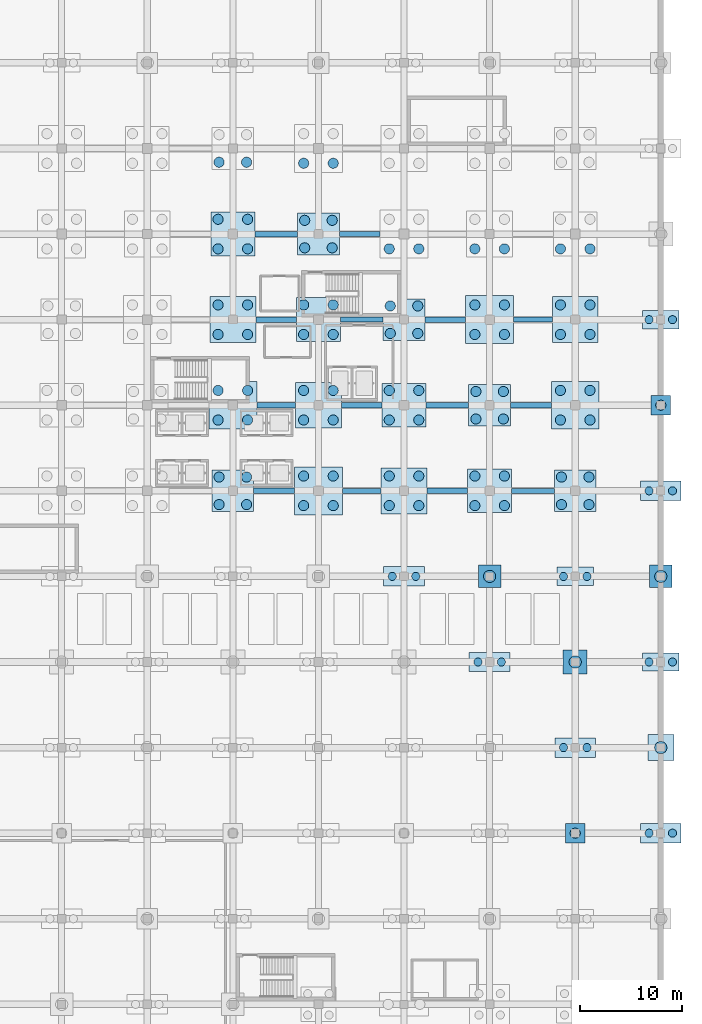
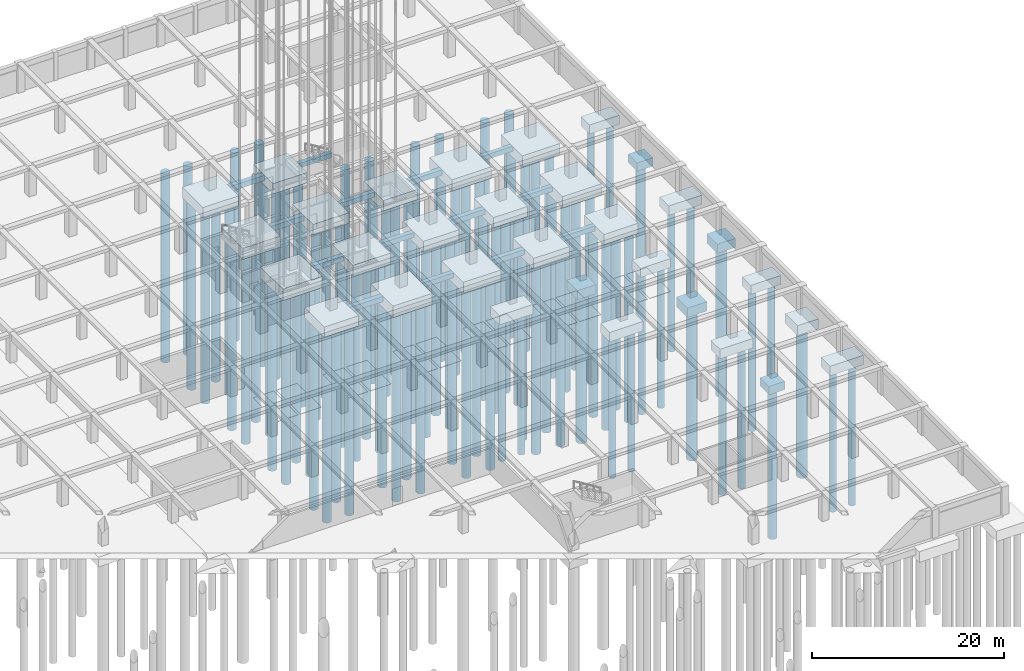
# One storey, part 7 of 47: 100 piles, 45 footings.
"""IFC4 building model written with IfcOpenShell, lengths in metres."""

from ifc_helpers import new_model, si_unit, direction, frame, origin, origin_2d, place, context, subcontext, project, spatial, rectangle, circle, extrude, material, layer, layer_set, material_profile, profile_set, type_object, element, save


model = new_model("IFC4")

# Units and contexts
model_context = context("Model", 3, precision=1e-05, world=origin(), true_north=direction((0.0, 1.0)))
body_context = subcontext(model_context, "Body", "Model", "MODEL_VIEW")
ifc_project = project(units=[si_unit("LENGTHUNIT", "METRE"), si_unit("AREAUNIT", "SQUARE_METRE"), si_unit("VOLUMEUNIT", "CUBIC_METRE"), si_unit("PLANEANGLEUNIT", "RADIAN"), si_unit("MASSUNIT", "GRAM", prefix="KILO")], contexts=[model_context])

# Site, building, storey
site_placement = place(None, origin())
site = spatial("IfcSite", under=ifc_project, at=site_placement, CompositionType="ELEMENT")
building_placement = place(site_placement, origin())
building = spatial("IfcBuilding", under=site, at=building_placement, Name="Almacenes y Pasaje Nevantli", CompositionType="ELEMENT")
storey_placement = place(building_placement, frame((0.0, 0.0, -8.10009765625)))
storey = spatial("IfcBuildingStorey", under=building, at=storey_placement, Name="B02", CompositionType="ELEMENT", Elevation=-8.10009765625)

# Footings
ifc_material_1 = material(Name="Concrete C45/55", Category="concrete")
ifc_layer_1 = layer(ifc_material_1, 0.64990234375)
ifc_layer_set_1 = layer_set([ifc_layer_1], Name="Concrete C45/55")
footing_type_1 = type_object("IfcFootingType", Name="FT-FB-01", PredefinedType="FOOTING_BEAM", material=ifc_layer_set_1)
for number, where, z_axis, x_axis, name in (
    (1, (130.050048828125, 67.199951171875, -1.14990234375), (0.0, 0.0, 1.0), (1.0, 0.0, 0.0), "Continuous Seismic Footing Tie Beam #3"),
    (2, (147.050048828125, 67.199951171875, -1.14990234375), (0.0, 0.0, 1.0), (1.0, 0.0, 0.0), "Continuous Seismic Footing Tie Beam #5"),
):
    element("IfcFooting", number, at=place(storey_placement, frame(where, z_axis=z_axis, x_axis=x_axis)), inside=storey, type_object=footing_type_1, Name=name, PredefinedType="FOOTING_BEAM", context=body_context, shape_type="SweptSolid", body=[
        extrude(rectangle(XDim=4.0, YDim=0.550048828125, at=origin_2d()), origin(), (0.0, 0.0, 1.0), 0.64990234375),
    ])
footing_1_placement = place(storey_placement, frame((130.25, 75.60009765625, -1.14990234375), z_axis=(0.0, 0.0, 1.0), x_axis=(1.0, 0.0, 0.0)))
element("IfcFooting", 3, at=footing_1_placement, inside=storey, type_object=footing_type_1, Name="Continuous Seismic Footing Tie Beam #9", PredefinedType="FOOTING_BEAM", context=body_context, shape_type="SweptSolid", body=[
    extrude(rectangle(XDim=3.800048828125, YDim=0.550048828125, at=origin_2d()), origin(), (0.0, 0.0, 1.0), 0.64990234375),
])
footing_2_placement = place(storey_placement, frame((147.050048828125, 75.60009765625, -1.14990234375), z_axis=(0.0, 0.0, 1.0), x_axis=(1.0, 0.0, 0.0)))
element("IfcFooting", 4, at=footing_2_placement, inside=storey, type_object=footing_type_1, Name="Continuous Seismic Footing Tie Beam #11", PredefinedType="FOOTING_BEAM", context=body_context, shape_type="SweptSolid", body=[
    extrude(rectangle(XDim=4.199951171875, YDim=0.550048828125, at=origin_2d()), origin(), (0.0, 0.0, 1.0), 0.64990234375),
])
for number, where, z_axis, x_axis, name in (
    (5, (130.25, 84.0, -1.14990234375), (0.0, 0.0, 1.0), (1.0, 0.0, 0.0), "Continuous Seismic Footing Tie Beam #15"),
    (6, (146.85009765625, 84.0, -1.14990234375), (0.0, 0.0, 1.0), (1.0, 0.0, 0.0), "Continuous Seismic Footing Tie Beam #17"),
):
    element("IfcFooting", number, at=place(storey_placement, frame(where, z_axis=z_axis, x_axis=x_axis)), inside=storey, type_object=footing_type_1, Name=name, PredefinedType="FOOTING_BEAM", context=body_context, shape_type="SweptSolid", body=[
        extrude(rectangle(XDim=4.0, YDim=0.550048828125, at=origin_2d()), origin(), (0.0, 0.0, 1.0), 0.64990234375),
    ])
footing_3_placement = place(storey_placement, frame((130.25, 92.39990234375, -1.14990234375), z_axis=(0.0, 0.0, 1.0), x_axis=(1.0, 0.0, 0.0)))
element("IfcFooting", 7, at=footing_3_placement, inside=storey, type_object=footing_type_1, Name="Continuous Seismic Footing Tie Beam #21", PredefinedType="FOOTING_BEAM", context=body_context, shape_type="SweptSolid", body=[
    extrude(rectangle(XDim=4.199951171875, YDim=0.550048828125, at=origin_2d()), origin(), (0.0, 0.0, 1.0), 0.64990234375),
])
ifc_material_2 = material(Name="Concrete C45/55", Category="concrete")
ifc_layer_2 = layer(ifc_material_2, 0.60009765625)
ifc_layer_set_2 = layer_set([ifc_layer_2], Name="Concrete C45/55")
footing_type_2 = type_object("IfcFootingType", Name="FT-FB-02", PredefinedType="FOOTING_BEAM", material=ifc_layer_set_2)
footing_4_placement = place(storey_placement, frame((138.64990234375, 67.199951171875, -1.099853515625), z_axis=(0.0, 0.0, 1.0), x_axis=(1.0, 0.0, 0.0)))
element("IfcFooting", 8, at=footing_4_placement, inside=storey, type_object=footing_type_2, Name="Continuous Seismic Footing Tie Beam #4", PredefinedType="FOOTING_BEAM", context=body_context, shape_type="SweptSolid", body=[
    extrude(rectangle(XDim=3.800048828125, YDim=0.5, at=origin_2d()), origin(), (0.0, 0.0, 1.0), 0.60009765625),
])
footing_5_placement = place(storey_placement, frame((155.449951171875, 67.199951171875, -1.099853515625), z_axis=(0.0, 0.0, 1.0), x_axis=(1.0, 0.0, 0.0)))
element("IfcFooting", 9, at=footing_5_placement, inside=storey, type_object=footing_type_2, Name="Continuous Seismic Footing Tie Beam #6", PredefinedType="FOOTING_BEAM", context=body_context, shape_type="SweptSolid", body=[
    extrude(rectangle(XDim=4.199951171875, YDim=0.5, at=origin_2d()), origin(), (0.0, 0.0, 1.0), 0.60009765625),
])
for number, where, z_axis, x_axis, name in (
    (10, (138.64990234375, 75.60009765625, -1.099853515625), (0.0, 0.0, 1.0), (1.0, 0.0, 0.0), "Continuous Seismic Footing Tie Beam #10"),
    (11, (155.25, 75.60009765625, -1.099853515625), (0.0, 0.0, 1.0), (1.0, 0.0, 0.0), "Continuous Seismic Footing Tie Beam #12"),
):
    element("IfcFooting", number, at=place(storey_placement, frame(where, z_axis=z_axis, x_axis=x_axis)), inside=storey, type_object=footing_type_2, Name=name, PredefinedType="FOOTING_BEAM", context=body_context, shape_type="SweptSolid", body=[
        extrude(rectangle(XDim=4.0, YDim=0.5, at=origin_2d()), origin(), (0.0, 0.0, 1.0), 0.60009765625),
    ])
footing_6_placement = place(storey_placement, frame((138.64990234375, 84.0, -1.099853515625), z_axis=(0.0, 0.0, 1.0), x_axis=(1.0, 0.0, 0.0)))
element("IfcFooting", 12, at=footing_6_placement, inside=storey, type_object=footing_type_2, Name="Continuous Seismic Footing Tie Beam #16", PredefinedType="FOOTING_BEAM", context=body_context, shape_type="SweptSolid", body=[
    extrude(rectangle(XDim=4.199951171875, YDim=0.5, at=origin_2d()), origin(), (0.0, 0.0, 1.0), 0.60009765625),
])
footing_7_placement = place(storey_placement, frame((155.449951171875, 84.0, -1.099853515625), z_axis=(0.0, 0.0, 1.0), x_axis=(1.0, 0.0, 0.0)))
element("IfcFooting", 13, at=footing_7_placement, inside=storey, type_object=footing_type_2, Name="Continuous Seismic Footing Tie Beam #18", PredefinedType="FOOTING_BEAM", context=body_context, shape_type="SweptSolid", body=[
    extrude(rectangle(XDim=3.800048828125, YDim=0.5, at=origin_2d()), origin(), (0.0, 0.0, 1.0), 0.60009765625),
])
footing_8_placement = place(storey_placement, frame((138.449951171875, 92.39990234375, -1.099853515625), z_axis=(0.0, 0.0, 1.0), x_axis=(1.0, 0.0, 0.0)))
element("IfcFooting", 14, at=footing_8_placement, inside=storey, type_object=footing_type_2, Name="Continuous Seismic Footing Tie Beam #22", PredefinedType="FOOTING_BEAM", context=body_context, shape_type="SweptSolid", body=[
    extrude(rectangle(XDim=4.0, YDim=0.5, at=origin_2d()), origin(), (0.0, 0.0, 1.0), 0.60009765625),
])
ifc_material_3 = material(Name="Concrete C45/55", Category="concrete")
ifc_layer_3 = layer(ifc_material_3, 1.449951171875)
ifc_layer_set_3 = layer_set([ifc_layer_3], Name="Concrete C45/55")
footing_type_3 = type_object("IfcFootingType", Name="FT-PC-01", PredefinedType="PILE_CAP", material=ifc_layer_set_3)
for number, where, z_axis, x_axis, name in (
    (15, (126.0, 75.60009765625, -1.94970703125), (0.0, 0.0, 1.0), (1.0, 0.0, 0.0), "Reinforced Concrete Pile Cap PC-01 #227"),
    (16, (134.39990234375, 67.199951171875, -1.94970703125), (0.0, 0.0, 1.0), (1.0, 0.0, 0.0), "Reinforced Concrete Pile Cap PC-01 #241"),
    (17, (151.199951171875, 84.0, -1.94970703125), (0.0, 0.0, 1.0), (1.0, 0.0, 0.0), "Reinforced Concrete Pile Cap PC-01 #273"),
    (18, (159.60009765625, 75.60009765625, -1.94970703125), (0.0, 0.0, 1.0), (1.0, 0.0, 0.0), "Reinforced Concrete Pile Cap PC-01 #287"),
):
    element("IfcFooting", number, at=place(storey_placement, frame(where, z_axis=z_axis, x_axis=x_axis)), inside=storey, type_object=footing_type_3, Name=name, PredefinedType="PILE_CAP", context=body_context, shape_type="SweptSolid", body=[
        extrude(rectangle(XDim=4.699951171875, YDim=4.699951171875, at=origin_2d()), origin(), (0.0, 0.0, 1.0), 1.449951171875),
    ])
ifc_material_4 = material(Name="Concrete C45/55", Category="concrete")
ifc_layer_4 = layer(ifc_material_4, 1.39990234375)
ifc_layer_set_4 = layer_set([ifc_layer_4], Name="Concrete C45/55")
footing_type_4 = type_object("IfcFootingType", Name="FT-PC-02", PredefinedType="PILE_CAP", material=ifc_layer_set_4)
for number, where, z_axis, x_axis, name in (
    (19, (126.0, 84.0, -1.89990234375), (0.0, 0.0, 1.0), (1.0, 0.0, 0.0), "Reinforced Concrete Pile Cap PC-02 #228"),
    (20, (134.39990234375, 75.60009765625, -1.89990234375), (0.0, 0.0, 1.0), (1.0, 0.0, 0.0), "Reinforced Concrete Pile Cap PC-02 #242"),
    (21, (142.800048828125, 67.199951171875, -1.89990234375), (0.0, 0.0, 1.0), (1.0, 0.0, 0.0), "Reinforced Concrete Pile Cap PC-02 #256"),
    (22, (159.60009765625, 84.0, -1.89990234375), (0.0, 0.0, 1.0), (1.0, 0.0, 0.0), "Reinforced Concrete Pile Cap PC-02 #288"),
):
    element("IfcFooting", number, at=place(storey_placement, frame(where, z_axis=z_axis, x_axis=x_axis)), inside=storey, type_object=footing_type_4, Name=name, PredefinedType="PILE_CAP", context=body_context, shape_type="SweptSolid", body=[
        extrude(rectangle(XDim=4.5, YDim=4.5, at=origin_2d()), origin(), (0.0, 0.0, 1.0), 1.39990234375),
    ])
ifc_material_5 = material(Name="Concrete C45/55", Category="concrete")
ifc_layer_5 = layer(ifc_material_5, 1.35009765625)
ifc_layer_set_5 = layer_set([ifc_layer_5], Name="Concrete C45/55")
footing_type_5 = type_object("IfcFootingType", Name="FT-PC-03", PredefinedType="PILE_CAP", material=ifc_layer_set_5)
for number, where, z_axis, x_axis, name in (
    (23, (126.0, 92.39990234375, -1.849853515625), (0.0, 0.0, 1.0), (1.0, 0.0, 0.0), "Reinforced Concrete Pile Cap PC-03 #229"),
    (24, (134.39990234375, 84.0, -1.849853515625), (0.0, 0.0, 1.0), (1.0, 0.0, 0.0), "Reinforced Concrete Pile Cap PC-03 #243"),
    (25, (142.800048828125, 75.60009765625, -1.849853515625), (0.0, 0.0, 1.0), (1.0, 0.0, 0.0), "Reinforced Concrete Pile Cap PC-03 #257"),
    (26, (151.199951171875, 67.199951171875, -1.849853515625), (0.0, 0.0, 1.0), (1.0, 0.0, 0.0), "Reinforced Concrete Pile Cap PC-03 #271"),
):
    element("IfcFooting", number, at=place(storey_placement, frame(where, z_axis=z_axis, x_axis=x_axis)), inside=storey, type_object=footing_type_5, Name=name, PredefinedType="PILE_CAP", context=body_context, shape_type="SweptSolid", body=[
        extrude(rectangle(XDim=4.300048828125, YDim=4.300048828125, at=origin_2d()), origin(), (0.0, 0.0, 1.0), 1.35009765625),
    ])
ifc_material_6 = material(Name="Concrete C45/55", Category="concrete")
ifc_layer_6 = layer(ifc_material_6, 1.300048828125)
ifc_layer_set_6 = layer_set([ifc_layer_6], Name="Concrete C45/55")
footing_type_6 = type_object("IfcFootingType", Name="FT-PC-04", PredefinedType="PILE_CAP", material=ifc_layer_set_6)
for number, where, z_axis, x_axis, name in (
    (27, (126.0, 67.199951171875, -1.7998046875), (0.0, 0.0, 1.0), (1.0, 0.0, 0.0), "Reinforced Concrete Pile Cap PC-04 #226"),
    (28, (134.39990234375, 92.39990234375, -1.7998046875), (0.0, 0.0, 1.0), (1.0, 0.0, 0.0), "Reinforced Concrete Pile Cap PC-04 #244"),
    (29, (142.800048828125, 84.0, -1.7998046875), (0.0, 0.0, 1.0), (1.0, 0.0, 0.0), "Reinforced Concrete Pile Cap PC-04 #258"),
    (30, (151.199951171875, 75.60009765625, -1.7998046875), (0.0, 0.0, 1.0), (1.0, 0.0, 0.0), "Reinforced Concrete Pile Cap PC-04 #272"),
    (31, (159.60009765625, 67.199951171875, -1.7998046875), (0.0, 0.0, 1.0), (1.0, 0.0, 0.0), "Reinforced Concrete Pile Cap PC-04 #286"),
):
    element("IfcFooting", number, at=place(storey_placement, frame(where, z_axis=z_axis, x_axis=x_axis)), inside=storey, type_object=footing_type_6, Name=name, PredefinedType="PILE_CAP", context=body_context, shape_type="SweptSolid", body=[
        extrude(rectangle(XDim=4.10009765625, YDim=4.10009765625, at=origin_2d()), origin(), (0.0, 0.0, 1.0), 1.300048828125),
    ])
ifc_material_7 = material(Name="Concrete C45/55", Category="concrete")
ifc_layer_7 = layer(ifc_material_7, 1.199951171875)
ifc_layer_set_7 = layer_set([ifc_layer_7], Name="Concrete C45/55")
footing_type_7 = type_object("IfcFootingType", Name="FT-PC-09", PredefinedType="PILE_CAP", material=ifc_layer_set_7)
for number, where, z_axis, x_axis, name in (
    (32, (142.800048828125, 58.800048828125, -1.69970703125), (0.0, 0.0, 1.0), (1.0, 0.0, 0.0), "Reinforced Concrete Pile Cap PC-09 #255"),
    (33, (151.199951171875, 50.39990234375, -1.69970703125), (0.0, 0.0, 1.0), (1.0, 0.0, 0.0), "Reinforced Concrete Pile Cap PC-09 #269"),
    (34, (159.60009765625, 42.0, -1.69970703125), (0.0, 0.0, 1.0), (1.0, 0.0, 0.0), "Reinforced Concrete Pile Cap PC-09 #283"),
    (35, (168.0, 33.60009765625, -1.69970703125), (0.0, 0.0, 1.0), (1.0, 0.0, 0.0), "Reinforced Concrete Pile Cap PC-09 #297"),
    (36, (168.0, 67.199951171875, -1.69970703125), (0.0, 0.0, 1.0), (1.0, 0.0, 0.0), "Reinforced Concrete Pile Cap PC-09 #301"),
):
    element("IfcFooting", number, at=place(storey_placement, frame(where, z_axis=z_axis, x_axis=x_axis)), inside=storey, type_object=footing_type_7, Name=name, PredefinedType="PILE_CAP", context=body_context, shape_type="SweptSolid", body=[
        extrude(rectangle(XDim=4.0, YDim=1.89990234375, at=origin_2d()), origin(), (0.0, 0.0, 1.0), 1.199951171875),
    ])
ifc_material_8 = material(Name="Concrete C45/55", Category="concrete")
ifc_layer_8 = layer(ifc_material_8, 1.14990234375)
ifc_layer_set_8 = layer_set([ifc_layer_8], Name="Concrete C45/55")
footing_type_8 = type_object("IfcFootingType", Name="FT-PC-11", PredefinedType="PILE_CAP", material=ifc_layer_set_8)
for number, where, z_axis, x_axis, name in (
    (37, (159.60009765625, 58.800048828125, -1.64990234375), (0.0, 0.0, 1.0), (1.0, 0.0, 0.0), "Reinforced Concrete Pile Cap PC-11 #285"),
    (38, (168.0, 50.39990234375, -1.64990234375), (0.0, 0.0, 1.0), (1.0, 0.0, 0.0), "Reinforced Concrete Pile Cap PC-11 #299"),
    (39, (168.0, 84.0, -1.64990234375), (0.0, 0.0, 1.0), (1.0, 0.0, 0.0), "Reinforced Concrete Pile Cap PC-11 #303"),
):
    element("IfcFooting", number, at=place(storey_placement, frame(where, z_axis=z_axis, x_axis=x_axis)), inside=storey, type_object=footing_type_8, Name=name, PredefinedType="PILE_CAP", context=body_context, shape_type="SweptSolid", body=[
        extrude(rectangle(XDim=3.60009765625, YDim=1.800048828125, at=origin_2d()), origin(), (0.0, 0.0, 1.0), 1.14990234375),
    ])
ifc_material_9 = material(Name="Concrete C45/55", Category="concrete")
ifc_layer_9 = layer(ifc_material_9, 1.25)
ifc_layer_set_9 = layer_set([ifc_layer_9], Name="Concrete C45/55")
footing_type_9 = type_object("IfcFootingType", Name="FT-PC-15", PredefinedType="PILE_CAP", material=ifc_layer_set_9)
footing_9_placement = place(storey_placement, frame((168.0, 42.0, -1.75), z_axis=(0.0, 0.0, 1.0), x_axis=(1.0, 0.0, 0.0)))
element("IfcFooting", 40, at=footing_9_placement, inside=storey, type_object=footing_type_9, Name="Reinforced Concrete Pile Cap PC-15 #298", PredefinedType="PILE_CAP", context=body_context, shape_type="SweptSolid", body=[
    extrude(rectangle(XDim=2.550048828125, YDim=2.550048828125, at=origin_2d()), origin(), (0.0, 0.0, 1.0), 1.25),
])
ifc_material_10 = material(Name="Concrete C45/55", Category="concrete")
ifc_layer_10 = layer(ifc_material_10, 1.199951171875)
ifc_layer_set_10 = layer_set([ifc_layer_10], Name="Concrete C45/55")
footing_type_10 = type_object("IfcFootingType", Name="FT-PC-16", PredefinedType="PILE_CAP", material=ifc_layer_set_10)
footing_10_placement = place(storey_placement, frame((159.60009765625, 50.39990234375, -1.69970703125), z_axis=(0.0, 0.0, 1.0), x_axis=(1.0, 0.0, 0.0)))
element("IfcFooting", 41, at=footing_10_placement, inside=storey, type_object=footing_type_10, Name="Reinforced Concrete Pile Cap PC-16 #284", PredefinedType="PILE_CAP", context=body_context, shape_type="SweptSolid", body=[
    extrude(rectangle(XDim=2.35009765625, YDim=2.35009765625, at=origin_2d()), origin(), (0.0, 0.0, 1.0), 1.199951171875),
])
ifc_material_11 = material(Name="Concrete C45/55", Category="concrete")
ifc_layer_11 = layer(ifc_material_11, 1.14990234375)
ifc_layer_set_11 = layer_set([ifc_layer_11], Name="Concrete C45/55")
footing_type_11 = type_object("IfcFootingType", Name="FT-PC-17", PredefinedType="PILE_CAP", material=ifc_layer_set_11)
for number, where, z_axis, x_axis, name in (
    (42, (151.199951171875, 58.800048828125, -1.64990234375), (0.0, 0.0, 1.0), (1.0, 0.0, 0.0), "Reinforced Concrete Pile Cap PC-17 #270"),
    (43, (168.0, 58.800048828125, -1.64990234375), (0.0, 0.0, 1.0), (1.0, 0.0, 0.0), "Reinforced Concrete Pile Cap PC-17 #300"),
):
    element("IfcFooting", number, at=place(storey_placement, frame(where, z_axis=z_axis, x_axis=x_axis)), inside=storey, type_object=footing_type_11, Name=name, PredefinedType="PILE_CAP", context=body_context, shape_type="SweptSolid", body=[
        extrude(rectangle(XDim=2.199951171875, YDim=2.199951171875, at=origin_2d()), origin(), (0.0, 0.0, 1.0), 1.14990234375),
    ])
ifc_material_12 = material(Name="Concrete C45/55", Category="concrete")
ifc_layer_12 = layer(ifc_material_12, 1.050048828125)
ifc_layer_set_12 = layer_set([ifc_layer_12], Name="Concrete C45/55")
footing_type_12 = type_object("IfcFootingType", Name="FT-PC-19", PredefinedType="PILE_CAP", material=ifc_layer_set_12)
for number, where, z_axis, x_axis, name in (
    (44, (159.60009765625, 33.60009765625, -1.5498046875), (0.0, 0.0, 1.0), (1.0, 0.0, 0.0), "Reinforced Concrete Pile Cap PC-19 #282"),
    (45, (168.0, 75.60009765625, -1.5498046875), (0.0, 0.0, 1.0), (1.0, 0.0, 0.0), "Reinforced Concrete Pile Cap PC-19 #302"),
):
    element("IfcFooting", number, at=place(storey_placement, frame(where, z_axis=z_axis, x_axis=x_axis)), inside=storey, type_object=footing_type_12, Name=name, PredefinedType="PILE_CAP", context=body_context, shape_type="SweptSolid", body=[
        extrude(rectangle(XDim=1.89990234375, YDim=1.89990234375, at=origin_2d()), origin(), (0.0, 0.0, 1.0), 1.050048828125),
    ])

# Piles
ifc_material_13 = material(Name="Concrete C45/55", Category="concrete")
ifc_material_profile_1 = material_profile(ifc_material_13, circle(Radius=0.5, at=origin_2d()), Name="RC-PILE-D1000")
ifc_profile_set_1 = profile_set([ifc_material_profile_1], Name="Concrete C45/55")
pile_type_1 = type_object("IfcPileType", Name="PL-BORED-1000", PredefinedType="BORED", material=ifc_profile_set_1)
for number, where, z_axis, x_axis, name in (
    (46, (124.64990234375, 65.85009765625, -1.75), (0.0, 0.0, -1.0), (1.0, 0.0, 0.0), "Bored Pile PL-1000 #389"),
    (47, (127.35009765625, 65.85009765625, -1.75), (0.0, 0.0, -1.0), (1.0, 0.0, 0.0), "Bored Pile PL-1000 #390"),
    (48, (124.64990234375, 68.550048828125, -1.75), (0.0, 0.0, -1.0), (1.0, 0.0, 0.0), "Bored Pile PL-1000 #391"),
    (49, (127.35009765625, 68.550048828125, -1.75), (0.0, 0.0, -1.0), (1.0, 0.0, 0.0), "Bored Pile PL-1000 #392"),
    (50, (124.550048828125, 74.14990234375, -1.89990234375), (0.0, 0.0, -1.0), (1.0, 0.0, 0.0), "Bored Pile PL-1000 #393"),
    (51, (127.449951171875, 74.14990234375, -1.89990234375), (0.0, 0.0, -1.0), (1.0, 0.0, 0.0), "Bored Pile PL-1000 #394"),
    (52, (124.550048828125, 77.050048828125, -1.89990234375), (0.0, 0.0, -1.0), (1.0, 0.0, 0.0), "Bored Pile PL-1000 #395"),
    (53, (127.449951171875, 77.050048828125, -1.89990234375), (0.0, 0.0, -1.0), (1.0, 0.0, 0.0), "Bored Pile PL-1000 #396"),
    (54, (124.550048828125, 82.550048828125, -1.849853515625), (0.0, 0.0, -1.0), (1.0, 0.0, 0.0), "Bored Pile PL-1000 #397"),
    (55, (127.449951171875, 82.550048828125, -1.849853515625), (0.0, 0.0, -1.0), (1.0, 0.0, 0.0), "Bored Pile PL-1000 #398"),
    (56, (124.550048828125, 85.449951171875, -1.849853515625), (0.0, 0.0, -1.0), (1.0, 0.0, 0.0), "Bored Pile PL-1000 #399"),
    (57, (127.449951171875, 85.449951171875, -1.849853515625), (0.0, 0.0, -1.0), (1.0, 0.0, 0.0), "Bored Pile PL-1000 #400"),
    (58, (124.550048828125, 90.949951171875, -1.7998046875), (0.0, 0.0, -1.0), (1.0, 0.0, 0.0), "Bored Pile PL-1000 #401"),
    (59, (127.449951171875, 90.949951171875, -1.7998046875), (0.0, 0.0, -1.0), (1.0, 0.0, 0.0), "Bored Pile PL-1000 #402"),
    (60, (124.550048828125, 93.85009765625, -1.7998046875), (0.0, 0.0, -1.0), (1.0, 0.0, 0.0), "Bored Pile PL-1000 #403"),
    (61, (127.449951171875, 93.85009765625, -1.7998046875), (0.0, 0.0, -1.0), (1.0, 0.0, 0.0), "Bored Pile PL-1000 #404"),
    (62, (124.64990234375, 99.449951171875, -1.75), (0.0, 0.0, -1.0), (1.0, 0.0, 0.0), "Bored Pile PL-1000 #405"),
    (63, (127.35009765625, 99.449951171875, -1.75), (0.0, 0.0, -1.0), (1.0, 0.0, 0.0), "Bored Pile PL-1000 #406"),
    (64, (132.949951171875, 65.75, -1.89990234375), (0.0, 0.0, -1.0), (1.0, 0.0, 0.0), "Bored Pile PL-1000 #431"),
    (65, (135.85009765625, 65.75, -1.89990234375), (0.0, 0.0, -1.0), (1.0, 0.0, 0.0), "Bored Pile PL-1000 #432"),
    (66, (132.949951171875, 68.64990234375, -1.89990234375), (0.0, 0.0, -1.0), (1.0, 0.0, 0.0), "Bored Pile PL-1000 #433"),
    (67, (135.85009765625, 68.64990234375, -1.89990234375), (0.0, 0.0, -1.0), (1.0, 0.0, 0.0), "Bored Pile PL-1000 #434"),
    (68, (132.949951171875, 74.14990234375, -1.849853515625), (0.0, 0.0, -1.0), (1.0, 0.0, 0.0), "Bored Pile PL-1000 #435"),
    (69, (135.85009765625, 74.14990234375, -1.849853515625), (0.0, 0.0, -1.0), (1.0, 0.0, 0.0), "Bored Pile PL-1000 #436"),
    (70, (132.949951171875, 77.050048828125, -1.849853515625), (0.0, 0.0, -1.0), (1.0, 0.0, 0.0), "Bored Pile PL-1000 #437"),
    (71, (135.85009765625, 77.050048828125, -1.849853515625), (0.0, 0.0, -1.0), (1.0, 0.0, 0.0), "Bored Pile PL-1000 #438"),
    (72, (132.949951171875, 82.550048828125, -1.7998046875), (0.0, 0.0, -1.0), (1.0, 0.0, 0.0), "Bored Pile PL-1000 #439"),
    (73, (135.85009765625, 82.550048828125, -1.7998046875), (0.0, 0.0, -1.0), (1.0, 0.0, 0.0), "Bored Pile PL-1000 #440"),
    (74, (132.949951171875, 85.449951171875, -1.7998046875), (0.0, 0.0, -1.0), (1.0, 0.0, 0.0), "Bored Pile PL-1000 #441"),
    (75, (135.85009765625, 85.449951171875, -1.7998046875), (0.0, 0.0, -1.0), (1.0, 0.0, 0.0), "Bored Pile PL-1000 #442"),
    (76, (133.050048828125, 91.050048828125, -1.75), (0.0, 0.0, -1.0), (1.0, 0.0, 0.0), "Bored Pile PL-1000 #443"),
    (77, (135.75, 91.050048828125, -1.75), (0.0, 0.0, -1.0), (1.0, 0.0, 0.0), "Bored Pile PL-1000 #444"),
    (78, (133.050048828125, 93.75, -1.75), (0.0, 0.0, -1.0), (1.0, 0.0, 0.0), "Bored Pile PL-1000 #445"),
    (79, (135.75, 93.75, -1.75), (0.0, 0.0, -1.0), (1.0, 0.0, 0.0), "Bored Pile PL-1000 #446"),
    (80, (132.949951171875, 99.35009765625, -1.89990234375), (0.0, 0.0, -1.0), (1.0, 0.0, 0.0), "Bored Pile PL-1000 #447"),
    (81, (135.85009765625, 99.35009765625, -1.89990234375), (0.0, 0.0, -1.0), (1.0, 0.0, 0.0), "Bored Pile PL-1000 #448"),
    (82, (141.35009765625, 65.75, -1.849853515625), (0.0, 0.0, -1.0), (1.0, 0.0, 0.0), "Bored Pile PL-1000 #472"),
    (83, (144.25, 65.75, -1.849853515625), (0.0, 0.0, -1.0), (1.0, 0.0, 0.0), "Bored Pile PL-1000 #473"),
    (84, (141.35009765625, 68.64990234375, -1.849853515625), (0.0, 0.0, -1.0), (1.0, 0.0, 0.0), "Bored Pile PL-1000 #474"),
    (85, (144.25, 68.64990234375, -1.849853515625), (0.0, 0.0, -1.0), (1.0, 0.0, 0.0), "Bored Pile PL-1000 #475"),
    (86, (141.35009765625, 74.14990234375, -1.7998046875), (0.0, 0.0, -1.0), (1.0, 0.0, 0.0), "Bored Pile PL-1000 #476"),
    (87, (144.25, 74.14990234375, -1.7998046875), (0.0, 0.0, -1.0), (1.0, 0.0, 0.0), "Bored Pile PL-1000 #477"),
    (88, (141.35009765625, 77.050048828125, -1.7998046875), (0.0, 0.0, -1.0), (1.0, 0.0, 0.0), "Bored Pile PL-1000 #478"),
    (89, (144.25, 77.050048828125, -1.7998046875), (0.0, 0.0, -1.0), (1.0, 0.0, 0.0), "Bored Pile PL-1000 #479"),
    (90, (141.449951171875, 82.64990234375, -1.75), (0.0, 0.0, -1.0), (1.0, 0.0, 0.0), "Bored Pile PL-1000 #480"),
    (91, (144.14990234375, 82.64990234375, -1.75), (0.0, 0.0, -1.0), (1.0, 0.0, 0.0), "Bored Pile PL-1000 #481"),
    (92, (141.449951171875, 85.35009765625, -1.75), (0.0, 0.0, -1.0), (1.0, 0.0, 0.0), "Bored Pile PL-1000 #482"),
    (93, (144.14990234375, 85.35009765625, -1.75), (0.0, 0.0, -1.0), (1.0, 0.0, 0.0), "Bored Pile PL-1000 #483"),
    (94, (141.35009765625, 90.949951171875, -1.89990234375), (0.0, 0.0, -1.0), (1.0, 0.0, 0.0), "Bored Pile PL-1000 #484"),
    (95, (144.25, 90.949951171875, -1.89990234375), (0.0, 0.0, -1.0), (1.0, 0.0, 0.0), "Bored Pile PL-1000 #485"),
    (96, (149.75, 65.75, -1.7998046875), (0.0, 0.0, -1.0), (1.0, 0.0, 0.0), "Bored Pile PL-1000 #512"),
    (97, (152.64990234375, 65.75, -1.7998046875), (0.0, 0.0, -1.0), (1.0, 0.0, 0.0), "Bored Pile PL-1000 #513"),
    (98, (149.75, 68.64990234375, -1.7998046875), (0.0, 0.0, -1.0), (1.0, 0.0, 0.0), "Bored Pile PL-1000 #514"),
    (99, (152.64990234375, 68.64990234375, -1.7998046875), (0.0, 0.0, -1.0), (1.0, 0.0, 0.0), "Bored Pile PL-1000 #515"),
    (100, (149.85009765625, 74.25, -1.75), (0.0, 0.0, -1.0), (1.0, 0.0, 0.0), "Bored Pile PL-1000 #516"),
    (101, (152.550048828125, 74.25, -1.75), (0.0, 0.0, -1.0), (1.0, 0.0, 0.0), "Bored Pile PL-1000 #517"),
    (102, (149.85009765625, 76.949951171875, -1.75), (0.0, 0.0, -1.0), (1.0, 0.0, 0.0), "Bored Pile PL-1000 #518"),
    (103, (152.550048828125, 76.949951171875, -1.75), (0.0, 0.0, -1.0), (1.0, 0.0, 0.0), "Bored Pile PL-1000 #519"),
    (104, (149.75, 82.550048828125, -1.89990234375), (0.0, 0.0, -1.0), (1.0, 0.0, 0.0), "Bored Pile PL-1000 #520"),
    (105, (152.64990234375, 82.550048828125, -1.89990234375), (0.0, 0.0, -1.0), (1.0, 0.0, 0.0), "Bored Pile PL-1000 #521"),
    (106, (149.75, 85.449951171875, -1.89990234375), (0.0, 0.0, -1.0), (1.0, 0.0, 0.0), "Bored Pile PL-1000 #522"),
    (107, (152.64990234375, 85.449951171875, -1.89990234375), (0.0, 0.0, -1.0), (1.0, 0.0, 0.0), "Bored Pile PL-1000 #523"),
    (108, (149.75, 90.949951171875, -1.849853515625), (0.0, 0.0, -1.0), (1.0, 0.0, 0.0), "Bored Pile PL-1000 #524"),
    (109, (152.64990234375, 90.949951171875, -1.849853515625), (0.0, 0.0, -1.0), (1.0, 0.0, 0.0), "Bored Pile PL-1000 #525"),
):
    element("IfcPile", number, at=place(storey_placement, frame(where, z_axis=z_axis, x_axis=x_axis)), inside=storey, type_object=pile_type_1, Name=name, PredefinedType="BORED", context=body_context, shape_type="SweptSolid", body=[
        extrude(circle(Radius=0.5, at=origin_2d()), origin(), (0.0, 0.0, 1.0), 24.0),
    ])
pile_1_placement = place(storey_placement, frame((159.60009765625, 33.60009765625, -1.5), z_axis=(0.0, 0.0, -1.0), x_axis=(1.0, 0.0, 0.0)))
element("IfcPile", 110, at=pile_1_placement, inside=storey, type_object=pile_type_1, Name="Bored Pile PL-1000 #547", PredefinedType="BORED", context=body_context, shape_type="SweptSolid", body=[
    extrude(circle(Radius=0.5, at=origin_2d()), origin(), (0.0, 0.0, 1.0), 19.0),
])
for number, where, z_axis, x_axis, name in (
    (111, (158.25, 65.85009765625, -1.75), (0.0, 0.0, -1.0), (1.0, 0.0, 0.0), "Bored Pile PL-1000 #553"),
    (112, (160.949951171875, 65.85009765625, -1.75), (0.0, 0.0, -1.0), (1.0, 0.0, 0.0), "Bored Pile PL-1000 #554"),
    (113, (158.25, 68.550048828125, -1.75), (0.0, 0.0, -1.0), (1.0, 0.0, 0.0), "Bored Pile PL-1000 #555"),
    (114, (160.949951171875, 68.550048828125, -1.75), (0.0, 0.0, -1.0), (1.0, 0.0, 0.0), "Bored Pile PL-1000 #556"),
    (115, (158.14990234375, 74.14990234375, -1.89990234375), (0.0, 0.0, -1.0), (1.0, 0.0, 0.0), "Bored Pile PL-1000 #557"),
    (116, (161.050048828125, 74.14990234375, -1.89990234375), (0.0, 0.0, -1.0), (1.0, 0.0, 0.0), "Bored Pile PL-1000 #558"),
    (117, (158.14990234375, 77.050048828125, -1.89990234375), (0.0, 0.0, -1.0), (1.0, 0.0, 0.0), "Bored Pile PL-1000 #559"),
    (118, (161.050048828125, 77.050048828125, -1.89990234375), (0.0, 0.0, -1.0), (1.0, 0.0, 0.0), "Bored Pile PL-1000 #560"),
    (119, (158.14990234375, 82.550048828125, -1.849853515625), (0.0, 0.0, -1.0), (1.0, 0.0, 0.0), "Bored Pile PL-1000 #561"),
    (120, (161.050048828125, 82.550048828125, -1.849853515625), (0.0, 0.0, -1.0), (1.0, 0.0, 0.0), "Bored Pile PL-1000 #562"),
    (121, (158.14990234375, 85.449951171875, -1.849853515625), (0.0, 0.0, -1.0), (1.0, 0.0, 0.0), "Bored Pile PL-1000 #563"),
    (122, (161.050048828125, 85.449951171875, -1.849853515625), (0.0, 0.0, -1.0), (1.0, 0.0, 0.0), "Bored Pile PL-1000 #564"),
    (123, (158.14990234375, 90.949951171875, -1.7998046875), (0.0, 0.0, -1.0), (1.0, 0.0, 0.0), "Bored Pile PL-1000 #565"),
    (124, (161.050048828125, 90.949951171875, -1.7998046875), (0.0, 0.0, -1.0), (1.0, 0.0, 0.0), "Bored Pile PL-1000 #566"),
):
    element("IfcPile", number, at=place(storey_placement, frame(where, z_axis=z_axis, x_axis=x_axis)), inside=storey, type_object=pile_type_1, Name=name, PredefinedType="BORED", context=body_context, shape_type="SweptSolid", body=[
        extrude(circle(Radius=0.5, at=origin_2d()), origin(), (0.0, 0.0, 1.0), 24.0),
    ])
pile_2_placement = place(storey_placement, frame((168.0, 75.60009765625, -1.5), z_axis=(0.0, 0.0, -1.0), x_axis=(1.0, 0.0, 0.0)))
element("IfcPile", 125, at=pile_2_placement, inside=storey, type_object=pile_type_1, Name="Bored Pile PL-1000 #597", PredefinedType="BORED", context=body_context, shape_type="SweptSolid", body=[
    extrude(circle(Radius=0.5, at=origin_2d()), origin(), (0.0, 0.0, 1.0), 19.0),
])
ifc_material_14 = material(Name="Concrete C45/55", Category="concrete")
ifc_material_profile_2 = material_profile(ifc_material_14, circle(Radius=0.60009765625, at=origin_2d()), Name="RC-PILE-D1200")
ifc_profile_set_2 = profile_set([ifc_material_profile_2], Name="Concrete C45/55")
pile_type_2 = type_object("IfcPileType", Name="PL-BORED-1200", PredefinedType="BORED", material=ifc_profile_set_2)
for number, where, z_axis, x_axis, name in (
    (126, (151.199951171875, 58.800048828125, -1.599853515625), (0.0, 0.0, -1.0), (1.0, 0.0, 0.0), "Bored Pile PL-1200 #511"),
    (127, (159.60009765625, 50.39990234375, -1.64990234375), (0.0, 0.0, -1.0), (1.0, 0.0, 0.0), "Bored Pile PL-1200 #550"),
    (128, (168.0, 42.0, -1.699951171875), (0.0, 0.0, -1.0), (1.0, 0.0, 0.0), "Bored Pile PL-1200 #591"),
    (129, (168.0, 58.800048828125, -1.599853515625), (0.0, 0.0, -1.0), (1.0, 0.0, 0.0), "Bored Pile PL-1200 #594"),
):
    element("IfcPile", number, at=place(storey_placement, frame(where, z_axis=z_axis, x_axis=x_axis)), inside=storey, type_object=pile_type_2, Name=name, PredefinedType="BORED", context=body_context, shape_type="SweptSolid", body=[
        extrude(circle(Radius=0.60009765625, at=origin_2d()), origin(), (0.0, 0.0, 1.0), 19.0),
    ])
ifc_material_15 = material(Name="Concrete C45/55", Category="concrete")
ifc_material_profile_3 = material_profile(ifc_material_15, circle(Radius=0.39990234375, at=origin_2d()), Name="RC-PILE-D800")
ifc_profile_set_3 = profile_set([ifc_material_profile_3], Name="Concrete C45/55")
pile_type_3 = type_object("IfcPileType", Name="PL-BORED-800", PredefinedType="BORED", material=ifc_profile_set_3)
for number, where, z_axis, x_axis, name in (
    (130, (141.64990234375, 58.800048828125, -1.64990234375), (0.0, 0.0, -1.0), (1.0, 0.0, 0.0), "Bored Pile PL-800 #470"),
    (131, (143.949951171875, 58.800048828125, -1.64990234375), (0.0, 0.0, -1.0), (1.0, 0.0, 0.0), "Bored Pile PL-800 #471"),
    (132, (150.050048828125, 50.39990234375, -1.64990234375), (0.0, 0.0, -1.0), (1.0, 0.0, 0.0), "Bored Pile PL-800 #509"),
    (133, (152.35009765625, 50.39990234375, -1.64990234375), (0.0, 0.0, -1.0), (1.0, 0.0, 0.0), "Bored Pile PL-800 #510"),
    (134, (158.449951171875, 42.0, -1.64990234375), (0.0, 0.0, -1.0), (1.0, 0.0, 0.0), "Bored Pile PL-800 #548"),
    (135, (160.75, 42.0, -1.64990234375), (0.0, 0.0, -1.0), (1.0, 0.0, 0.0), "Bored Pile PL-800 #549"),
    (136, (158.449951171875, 58.800048828125, -1.599853515625), (0.0, 0.0, -1.0), (1.0, 0.0, 0.0), "Bored Pile PL-800 #551"),
    (137, (160.75, 58.800048828125, -1.599853515625), (0.0, 0.0, -1.0), (1.0, 0.0, 0.0), "Bored Pile PL-800 #552"),
    (138, (166.85009765625, 33.60009765625, -1.64990234375), (0.0, 0.0, -1.0), (1.0, 0.0, 0.0), "Bored Pile PL-800 #589"),
    (139, (169.14990234375, 33.60009765625, -1.64990234375), (0.0, 0.0, -1.0), (1.0, 0.0, 0.0), "Bored Pile PL-800 #590"),
    (140, (166.85009765625, 50.39990234375, -1.599853515625), (0.0, 0.0, -1.0), (1.0, 0.0, 0.0), "Bored Pile PL-800 #592"),
    (141, (169.14990234375, 50.39990234375, -1.599853515625), (0.0, 0.0, -1.0), (1.0, 0.0, 0.0), "Bored Pile PL-800 #593"),
    (142, (166.85009765625, 67.199951171875, -1.64990234375), (0.0, 0.0, -1.0), (1.0, 0.0, 0.0), "Bored Pile PL-800 #595"),
    (143, (169.14990234375, 67.199951171875, -1.64990234375), (0.0, 0.0, -1.0), (1.0, 0.0, 0.0), "Bored Pile PL-800 #596"),
    (144, (166.85009765625, 84.0, -1.599853515625), (0.0, 0.0, -1.0), (1.0, 0.0, 0.0), "Bored Pile PL-800 #598"),
    (145, (169.14990234375, 84.0, -1.599853515625), (0.0, 0.0, -1.0), (1.0, 0.0, 0.0), "Bored Pile PL-800 #599"),
):
    element("IfcPile", number, at=place(storey_placement, frame(where, z_axis=z_axis, x_axis=x_axis)), inside=storey, type_object=pile_type_3, Name=name, PredefinedType="BORED", context=body_context, shape_type="SweptSolid", body=[
        extrude(circle(Radius=0.39990234375, at=origin_2d()), origin(), (0.0, 0.0, 1.0), 18.0),
    ])

save(model, "model.ifc")
